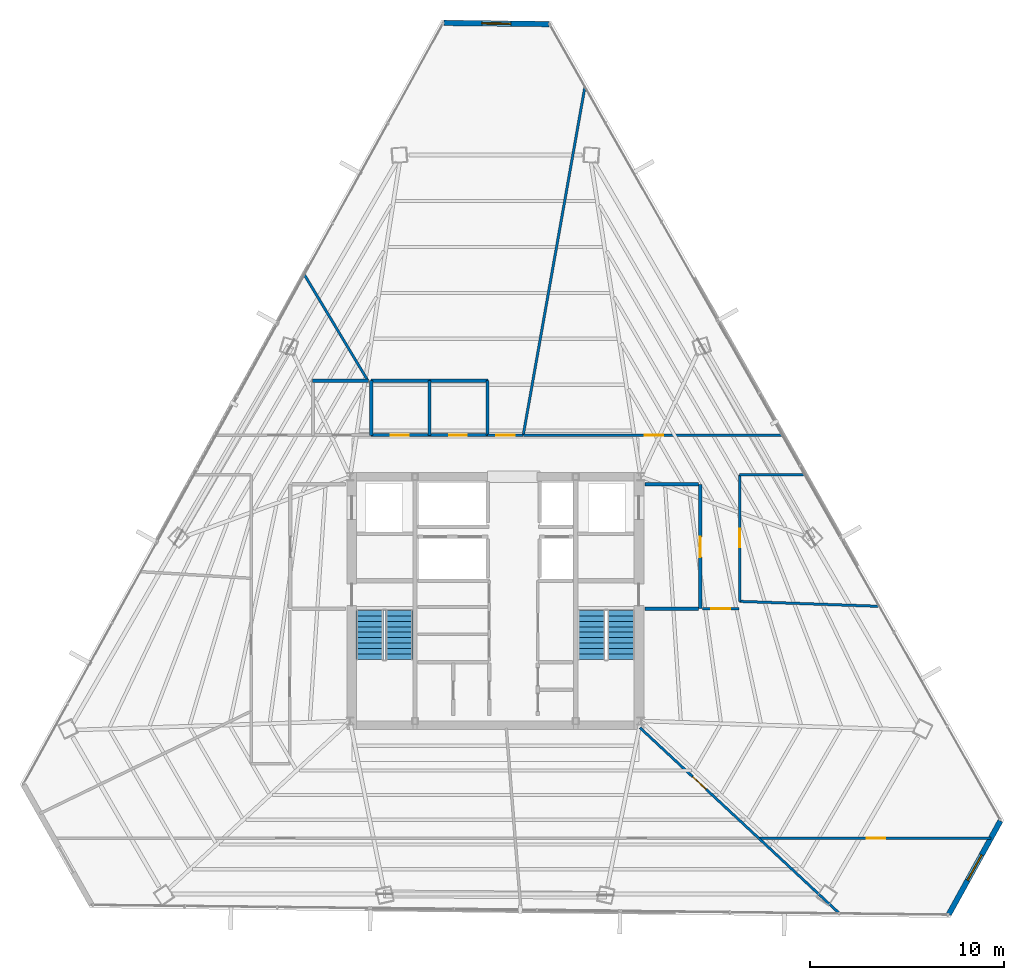
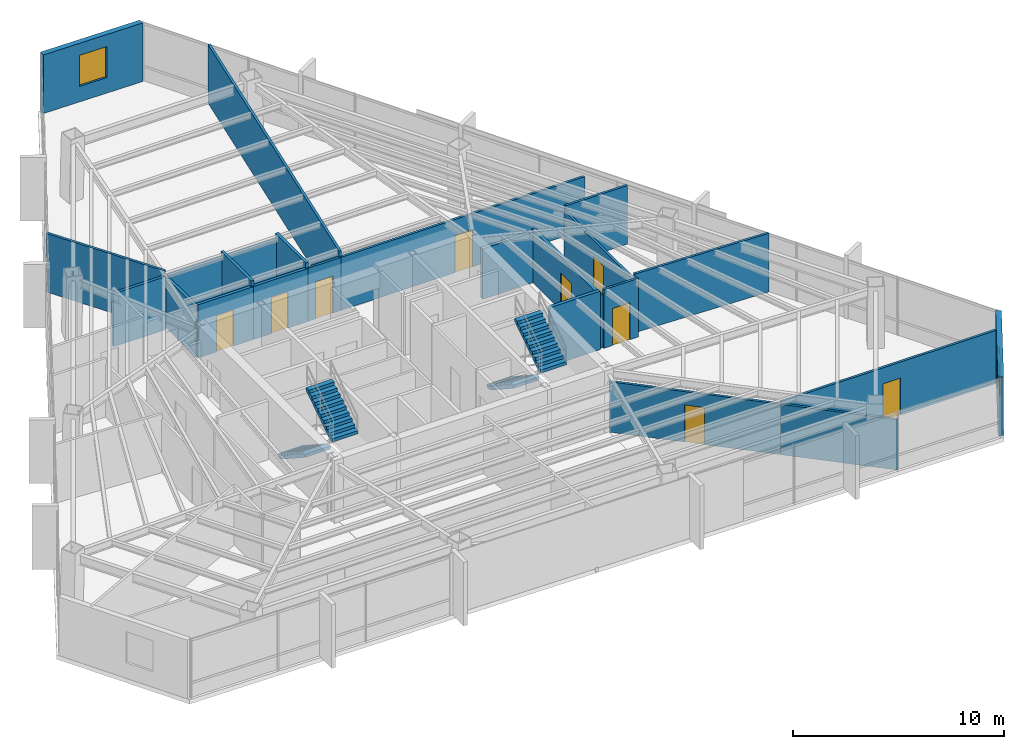
# One storey, part 37 of 41: 24 walls, 9 doors, 4 stair flights, 2 windows, 11 openings, 2 elements without a shape of their own.
"""IFC4 building model written with IfcOpenShell, lengths in metres."""

from ifc_helpers import new_model, si_unit, direction, frame, frame_2d, origin, place, context, subcontext, project, spatial, polyline, rectangle, outline, extrude, material, layer, layer_set, type_object, element, fill, aggregate, save


model = new_model("IFC4")

# Units and contexts
model_context = context("Model", 3, precision=1e-05, world=origin(), true_north=direction((0.0, 1.0)))
body_context = subcontext(model_context, "Body", "Model", "MODEL_VIEW")
ifc_project = project(units=[si_unit("LENGTHUNIT", "METRE"), si_unit("AREAUNIT", "SQUARE_METRE"), si_unit("VOLUMEUNIT", "CUBIC_METRE"), si_unit("PLANEANGLEUNIT", "RADIAN"), si_unit("MASSUNIT", "GRAM", prefix="KILO")], contexts=[model_context])

# Site, building, storey
site_placement = place(None, origin())
site = spatial("IfcSite", under=ifc_project, at=site_placement, CompositionType="ELEMENT")
building_placement = place(site_placement, origin())
building = spatial("IfcBuilding", under=site, at=building_placement, Name="Caelisora Broadcast Tower", CompositionType="ELEMENT")
storey_placement = place(building_placement, frame((0.0, 0.0, 209.60009765625)))
storey = spatial("IfcBuildingStorey", under=building, at=storey_placement, Name="L55", CompositionType="ELEMENT", Elevation=209.60009765625)

# Wall, opening, window
ifc_material_1 = material(Name="Insulated Terracotta Spandrel Wall System", Category="masonry")
ifc_layer_1 = layer(ifc_material_1, 0.280029296875, Name="Insulated Terracotta Spandrel Wall System")
ifc_layer_set_1 = layer_set([ifc_layer_1], Name="Insulated Terracotta Spandrel Wall System")
wall_type_1 = type_object("IfcWallType", Name="EW1", PredefinedType="STANDARD", material=ifc_layer_set_1)
wall_1_placement = place(storey_placement, frame((64.054443359375, 12.24658203125, 0.0), z_axis=(0.0, 0.0, 1.0), x_axis=(-0.48307617034, -0.875578330962, 0.0)))
wall_1 = element("IfcWall", 1, at=wall_1_placement, inside=storey, type_object=wall_type_1, Name="L55 exterior envelope wall EW1", PredefinedType="STANDARD", context=body_context, shape_type="SweptSolid", body=[
    extrude(rectangle(XDim=5.504150390625, YDim=0.280029296875, at=frame_2d((2.751953125, 0.0))), origin(), (0.0, 0.0, 1.0), 3.39990234375),
])
opening_1_placement = place(wall_1_placement, frame((2.0, 0.0, 0.89990234375)))
opening_1 = element("IfcOpeningElement", 2, at=opening_1_placement, cuts=wall_1, Name="Opening W02", PredefinedType="OPENING", context=body_context, shape_type="SweptSolid", body=[
    extrude(rectangle(XDim=1.5, YDim=1.800048828125, at=frame_2d((0.75, 0.89990234375))), frame((0.0, 0.152099609375, 0.0), z_axis=(0.0, -1.0, 0.0), x_axis=(1.0, 0.0, 0.0)), (0.0, 0.0, 1.0), 0.303955078125),
])
ifc_material_2 = material(Name="Double Glazed Terracotta-Framed Vision Window", Category="glass")
window_type = type_object("IfcWindowType", Name="W02", PartitioningType="SINGLE_PANEL", PredefinedType="WINDOW", material=ifc_material_2)
window_1_placement = place(opening_1_placement, origin())
window_1 = element("IfcWindow", 3, at=window_1_placement, inside=storey, type_object=window_type, Name="L55 window W02 (L55-WN-CH0)", OverallHeight=1.800048828125, OverallWidth=1.5, PartitioningType="SINGLE_PANEL", PredefinedType="WINDOW", context=body_context, shape_type="SweptSolid", body=[
    extrude(rectangle(XDim=1.5, YDim=1.800048828125, at=frame_2d((0.75, 0.89990234375))), frame((0.0, 0.030029296875, 0.0), z_axis=(0.0, -1.0, 0.0), x_axis=(1.0, 0.0, 0.0)), (0.0, 0.0, 1.0), 0.06005859375),
])
fill(opening_1, window_1)

wall_2_placement = place(storey_placement, frame((35.346923828125, 53.41064453125, 0.0), z_axis=(0.0, 0.0, 1.0), x_axis=(0.999936043764, -0.01130965875, 0.0)))
wall_2 = element("IfcWall", 4, at=wall_2_placement, inside=storey, type_object=wall_type_1, Name="L55 exterior envelope wall EW1", PredefinedType="STANDARD", context=body_context, shape_type="SweptSolid", body=[
    extrude(rectangle(XDim=5.418212890625, YDim=0.280029296875, at=frame_2d((2.708984375, 0.0))), origin(), (0.0, 0.0, 1.0), 3.39990234375),
])
opening_2_placement = place(wall_2_placement, frame((1.9599609375, 0.0, 0.89990234375)))
opening_2 = element("IfcOpeningElement", 5, at=opening_2_placement, cuts=wall_2, Name="Opening W02", PredefinedType="OPENING", context=body_context, shape_type="SweptSolid", body=[
    extrude(rectangle(XDim=1.5, YDim=1.800048828125, at=frame_2d((0.75, 0.89990234375))), frame((0.0, 0.152099609375, 0.0), z_axis=(0.0, -1.0, 0.0), x_axis=(1.0, 0.0, 0.0)), (0.0, 0.0, 1.0), 0.303955078125),
])
window_2_placement = place(opening_2_placement, origin())
window_2 = element("IfcWindow", 6, at=window_2_placement, inside=storey, type_object=window_type, Name="L55 window W02 (L55-WN-CH8)", OverallHeight=1.800048828125, OverallWidth=1.5, PartitioningType="SINGLE_PANEL", PredefinedType="WINDOW", context=body_context, shape_type="SweptSolid", body=[
    extrude(rectangle(XDim=1.5, YDim=1.800048828125, at=frame_2d((0.75, 0.89990234375))), frame((0.0, 0.030029296875, 0.0), z_axis=(0.0, -1.0, 0.0), x_axis=(1.0, 0.0, 0.0)), (0.0, 0.0, 1.0), 0.06005859375),
])
fill(opening_2, window_2)

# Wall, opening, door
ifc_material_3 = material(Name="Fire-Rated Gypsum Shaft and Compartment Wall", Category="gypsum")
ifc_layer_2 = layer(ifc_material_3, 0.179931640625, Name="Fire-Rated Gypsum Shaft and Compartment Wall")
ifc_layer_set_2 = layer_set([ifc_layer_2], Name="Fire-Rated Gypsum Shaft and Compartment Wall")
wall_type_2 = type_object("IfcWallType", Name="PW2", PredefinedType="PARTITIONING", material=ifc_layer_set_2)
wall_3_placement = place(storey_placement, frame((48.580078125, 23.199951171875, 0.0), z_axis=(0.0, 0.0, 1.0), x_axis=(0.0, 1.0, 0.0)))
wall_3 = element("IfcWall", 7, at=wall_3_placement, inside=storey, type_object=wall_type_2, Name="L55 fire compartment wall PW2", PredefinedType="PARTITIONING", context=body_context, shape_type="SweptSolid", body=[
    extrude(rectangle(XDim=6.400146484375, YDim=0.179931640625, at=frame_2d((3.2001953125, 0.0))), origin(), (0.0, 0.0, 1.0), 3.07763671875),
])
opening_3_placement = place(wall_3_placement, frame((2.64990234375, 0.0, 0.0)))
opening_3 = element("IfcOpeningElement", 8, at=opening_3_placement, cuts=wall_3, Name="Opening FD02", PredefinedType="OPENING", context=body_context, shape_type="SweptSolid", body=[
    extrude(rectangle(XDim=1.050048828125, YDim=2.14990234375, at=frame_2d((0.52490234375, 1.074951171875))), frame((0.0, 0.10205078125, 0.0), z_axis=(0.0, -1.0, 0.0), x_axis=(1.0, 0.0, 0.0)), (0.0, 0.0, 1.0), 0.203857421875),
])
ifc_material_4 = material(Name="Single-Leaf Steel Fire Lobby Door", Category="steel")
door_type_1 = type_object("IfcDoorType", Name="FD02", OperationType="NOTDEFINED", PredefinedType="DOOR", material=ifc_material_4)
door_1_placement = place(opening_3_placement, origin())
door_1 = element("IfcDoor", 9, at=door_1_placement, inside=storey, type_object=door_type_1, Name="L55 door FD02 (L55-DR-P04D1)", OperationType="SINGLE_SWING_RIGHT", OverallHeight=2.14990234375, OverallWidth=1.050048828125, PredefinedType="DOOR", context=body_context, shape_type="SweptSolid", body=[
    extrude(rectangle(XDim=1.050048828125, YDim=2.14990234375, at=frame_2d((0.52490234375, 1.074951171875))), frame((0.0, 0.02490234375, 0.0), z_axis=(0.0, -1.0, 0.0), x_axis=(1.0, 0.0, 0.0)), (0.0, 0.0, 1.0), 0.050048828125),
])
fill(opening_3, door_1)

# Walls
wall_4_placement = place(storey_placement, frame((45.719970703125, 23.199951171875, 0.0), z_axis=(0.0, 0.0, 1.0), x_axis=(1.0, 0.0, 0.0)))
element("IfcWall", 10, at=wall_4_placement, inside=storey, type_object=wall_type_2, Name="L55 fire compartment wall PW2", PredefinedType="PARTITIONING", context=body_context, shape_type="SweptSolid", body=[
    extrude(rectangle(XDim=2.760009765625, YDim=0.179931640625, at=frame_2d((1.3798828125, 0.0))), origin(), (0.0, 0.0, 1.0), 3.39990234375),
])
wall_5_placement = place(storey_placement, frame((45.719970703125, 29.60009765625, 0.0), z_axis=(0.0, 0.0, 1.0), x_axis=(1.0, 0.0, 0.0)))
element("IfcWall", 11, at=wall_5_placement, inside=storey, type_object=wall_type_2, Name="L55 fire compartment wall PW2", PredefinedType="PARTITIONING", context=body_context, shape_type="SweptSolid", body=[
    extrude(rectangle(XDim=2.760009765625, YDim=0.179931640625, at=frame_2d((1.3798828125, 0.0))), origin(), (0.0, 0.0, 1.0), 2.924560546875),
])
ifc_material_5 = material(Name="Acoustic Steel-Stud Plasterboard Partition", Category="gypsum")
ifc_layer_3 = layer(ifc_material_5, 0.1298828125, Name="Acoustic Steel-Stud Plasterboard Partition")
ifc_layer_set_3 = layer_set([ifc_layer_3], Name="Acoustic Steel-Stud Plasterboard Partition")
wall_type_3 = type_object("IfcWallType", Name="PW3", PredefinedType="PARTITIONING", material=ifc_layer_set_3)
wall_6_placement = place(storey_placement, frame((39.44091796875, 32.155029296875, 0.0), z_axis=(0.0, 0.0, 1.0), x_axis=(0.174344505981, 0.984684717681, 0.0)))
element("IfcWall", 12, at=wall_6_placement, inside=storey, type_object=wall_type_3, Name="L55 internal partition PW3", PredefinedType="PARTITIONING", context=body_context, shape_type="SweptSolid", body=[
    extrude(rectangle(XDim=18.256103515625, YDim=0.1298828125, at=frame_2d((9.1279296875, 0.0))), origin(), (0.0, 0.0, 1.0), 3.39990234375),
])

# Wall, opening, door
wall_7_placement = place(storey_placement, frame((39.445068359375, 32.14990234375, 0.0), z_axis=(0.0, 0.0, 1.0), x_axis=(1.0, 0.0, 0.0)))
wall_7 = element("IfcWall", 13, at=wall_7_placement, inside=storey, type_object=wall_type_3, Name="L55 internal partition PW3", PredefinedType="PARTITIONING", context=body_context, shape_type="SweptSolid", body=[
    extrude(rectangle(XDim=13.367431640625, YDim=0.1298828125, at=frame_2d((6.68359375, 0.0))), origin(), (0.0, 0.0, 1.0), 3.07763671875),
])
opening_4_placement = place(wall_7_placement, frame((6.258056640625, 0.0, 0.0)))
opening_4 = element("IfcOpeningElement", 14, at=opening_4_placement, cuts=wall_7, Name="Opening D01", PredefinedType="OPENING", context=body_context, shape_type="SweptSolid", body=[
    extrude(rectangle(XDim=0.9599609375, YDim=2.14990234375, at=frame_2d((0.47998046875, 1.074951171875))), frame((0.0, 0.076904296875, 0.0), z_axis=(0.0, -1.0, 0.0), x_axis=(1.0, 0.0, 0.0)), (0.0, 0.0, 1.0), 0.15380859375),
])
ifc_material_6 = material(Name="Solid-Core Timber Acoustic Office Door", Category="wood")
door_type_2 = type_object("IfcDoorType", Name="D01", OperationType="NOTDEFINED", PredefinedType="DOOR", material=ifc_material_6)
door_2_placement = place(opening_4_placement, origin())
door_2 = element("IfcDoor", 15, at=door_2_placement, inside=storey, type_object=door_type_2, Name="L55 door D01 (L55-DR-P31D1)", OperationType="SINGLE_SWING_LEFT", OverallHeight=2.14990234375, OverallWidth=0.9599609375, PredefinedType="DOOR", context=body_context, shape_type="SweptSolid", body=[
    extrude(rectangle(XDim=0.9599609375, YDim=2.14990234375, at=frame_2d((0.47998046875, 1.074951171875))), frame((0.0, 0.02490234375, 0.0), z_axis=(0.0, -1.0, 0.0), x_axis=(1.0, 0.0, 0.0)), (0.0, 0.0, 1.0), 0.050048828125),
])
fill(opening_4, door_2)

wall_8_placement = place(storey_placement, frame((51.594970703125, 11.35009765625, 0.0), z_axis=(0.0, 0.0, 1.0), x_axis=(1.0, 0.0, 0.0)))
wall_8 = element("IfcWall", 16, at=wall_8_placement, inside=storey, type_object=wall_type_3, Name="L55 internal partition PW3", PredefinedType="PARTITIONING", context=body_context, shape_type="SweptSolid", body=[
    extrude(rectangle(XDim=11.970703125, YDim=0.1298828125, at=frame_2d((5.9853515625, 0.0))), origin(), (0.0, 0.0, 1.0), 3.07763671875),
])
opening_5_placement = place(wall_8_placement, frame((5.55810546875, 0.0, 0.0)))
opening_5 = element("IfcOpeningElement", 17, at=opening_5_placement, cuts=wall_8, Name="Opening D01", PredefinedType="OPENING", context=body_context, shape_type="SweptSolid", body=[
    extrude(rectangle(XDim=0.9599609375, YDim=2.14990234375, at=frame_2d((0.47998046875, 1.074951171875))), frame((0.0, 0.076904296875, 0.0), z_axis=(0.0, -1.0, 0.0), x_axis=(1.0, 0.0, 0.0)), (0.0, 0.0, 1.0), 0.15380859375),
])
door_3_placement = place(opening_5_placement, origin())
door_3 = element("IfcDoor", 18, at=door_3_placement, inside=storey, type_object=door_type_2, Name="L55 door D01 (L55-DR-P34D1)", OperationType="SINGLE_SWING_LEFT", OverallHeight=2.14990234375, OverallWidth=0.9599609375, PredefinedType="DOOR", context=body_context, shape_type="SweptSolid", body=[
    extrude(rectangle(XDim=0.9599609375, YDim=2.14990234375, at=frame_2d((0.47998046875, 1.074951171875))), frame((0.0, 0.02490234375, 0.0), z_axis=(0.0, -1.0, 0.0), x_axis=(1.0, 0.0, 0.0)), (0.0, 0.0, 1.0), 0.050048828125),
])
fill(opening_5, door_3)

wall_9_placement = place(storey_placement, frame((45.465087890625, 17.049072265625, 0.0), z_axis=(0.0, 0.0, 1.0), x_axis=(0.732053638731, -0.681246996339, 0.0)))
wall_9 = element("IfcWall", 19, at=wall_9_placement, inside=storey, type_object=wall_type_3, Name="L55 internal partition PW3", PredefinedType="PARTITIONING", context=body_context, shape_type="SweptSolid", body=[
    extrude(rectangle(XDim=8.361083984375, YDim=0.1298828125, at=frame_2d((4.1806640625, 0.0))), origin(), (0.0, 0.0, 1.0), 2.924560546875),
])
opening_6_placement = place(wall_9_placement, frame((3.700927734375, 0.0, 0.0)))
opening_6 = element("IfcOpeningElement", 20, at=opening_6_placement, cuts=wall_9, Name="Opening D01", PredefinedType="OPENING", context=body_context, shape_type="SweptSolid", body=[
    extrude(rectangle(XDim=0.9599609375, YDim=2.14990234375, at=frame_2d((0.47998046875, 1.074951171875))), frame((0.0, 0.076904296875, 0.0), z_axis=(0.0, -1.0, 0.0), x_axis=(1.0, 0.0, 0.0)), (0.0, 0.0, 1.0), 0.15380859375),
])
door_4_placement = place(opening_6_placement, origin())
door_4 = element("IfcDoor", 21, at=door_4_placement, inside=storey, type_object=door_type_2, Name="L55 door D01 (L55-DR-P36D1)", OperationType="SINGLE_SWING_RIGHT", OverallHeight=2.14990234375, OverallWidth=0.9599609375, PredefinedType="DOOR", context=body_context, shape_type="SweptSolid", body=[
    extrude(rectangle(XDim=0.9599609375, YDim=2.14990234375, at=frame_2d((0.47998046875, 1.074951171875))), frame((0.0, 0.02490234375, 0.0), z_axis=(0.0, -1.0, 0.0), x_axis=(1.0, 0.0, 0.0)), (0.0, 0.0, 1.0), 0.050048828125),
])
fill(opening_6, door_4)

# Wall
wall_10_placement = place(storey_placement, frame((50.60498046875, 23.570068359375, 0.0), z_axis=(0.0, 0.0, 1.0), x_axis=(0.999370457371, -0.035478006355, 0.0)))
element("IfcWall", 22, at=wall_10_placement, inside=storey, type_object=wall_type_3, Name="L55 internal partition PW3", PredefinedType="PARTITIONING", context=body_context, shape_type="SweptSolid", body=[
    extrude(rectangle(XDim=7.21875, YDim=0.1298828125, at=frame_2d((3.609375, 0.0))), origin(), (0.0, 0.0, 1.0), 3.39990234375),
])

# Wall, opening, door
wall_11_placement = place(storey_placement, frame((50.60009765625, 23.574951171875, 0.0), z_axis=(0.0, 0.0, 1.0), x_axis=(0.0, 1.0, 0.0)))
wall_11 = element("IfcWall", 23, at=wall_11_placement, inside=storey, type_object=wall_type_3, Name="L55 internal partition PW3", PredefinedType="PARTITIONING", context=body_context, shape_type="SweptSolid", body=[
    extrude(rectangle(XDim=6.52001953125, YDim=0.1298828125, at=frame_2d((3.260009765625, 0.0))), origin(), (0.0, 0.0, 1.0), 3.07763671875),
])
opening_7_placement = place(wall_11_placement, frame((2.780029296875, 0.0, 0.0)))
opening_7 = element("IfcOpeningElement", 24, at=opening_7_placement, cuts=wall_11, Name="Opening D01", PredefinedType="OPENING", context=body_context, shape_type="SweptSolid", body=[
    extrude(rectangle(XDim=0.9599609375, YDim=2.14990234375, at=frame_2d((0.47998046875, 1.074951171875))), frame((0.0, 0.076904296875, 0.0), z_axis=(0.0, -1.0, 0.0), x_axis=(1.0, 0.0, 0.0)), (0.0, 0.0, 1.0), 0.15380859375),
])
door_5_placement = place(opening_7_placement, origin())
door_5 = element("IfcDoor", 25, at=door_5_placement, inside=storey, type_object=door_type_2, Name="L55 door D01 (L55-DR-P41D1)", OperationType="SINGLE_SWING_LEFT", OverallHeight=2.14990234375, OverallWidth=0.9599609375, PredefinedType="DOOR", context=body_context, shape_type="SweptSolid", body=[
    extrude(rectangle(XDim=0.9599609375, YDim=2.14990234375, at=frame_2d((0.47998046875, 1.074951171875))), frame((0.0, 0.02490234375, 0.0), z_axis=(0.0, -1.0, 0.0), x_axis=(1.0, 0.0, 0.0)), (0.0, 0.0, 1.0), 0.050048828125),
])
fill(opening_7, door_5)

# Walls
wall_12_placement = place(storey_placement, frame((28.1474609375, 40.424072265625, 0.0), z_axis=(0.0, 0.0, 1.0), x_axis=(0.514214257659, -0.857661761547, 0.0)))
element("IfcWall", 26, at=wall_12_placement, inside=storey, type_object=wall_type_3, Name="L55 internal partition PW3", PredefinedType="PARTITIONING", context=body_context, shape_type="SweptSolid", body=[
    extrude(rectangle(XDim=6.377685546875, YDim=0.1298828125, at=frame_2d((3.18896484375, 0.0))), origin(), (0.0, 0.0, 1.0), 3.39990234375),
])
wall_13_placement = place(storey_placement, frame((51.593994140625, 11.346923828125, 0.0), z_axis=(0.0, 0.0, 1.0), x_axis=(0.731391359987, -0.681957974171, 0.0)))
element("IfcWall", 27, at=wall_13_placement, inside=storey, type_object=wall_type_3, Name="L55 internal partition PW3", PredefinedType="PARTITIONING", context=body_context, shape_type="SweptSolid", body=[
    extrude(rectangle(XDim=5.699462890625, YDim=0.1298828125, at=frame_2d((2.849609375, 0.0))), origin(), (0.0, 0.0, 1.0), 2.924560546875),
])
wall_14_placement = place(storey_placement, frame((50.60498046875, 30.10009765625, 0.0), z_axis=(0.0, 0.0, 1.0), x_axis=(1.0, 0.0, 0.0)))
element("IfcWall", 28, at=wall_14_placement, inside=storey, type_object=wall_type_3, Name="L55 internal partition PW3", PredefinedType="PARTITIONING", context=body_context, shape_type="SweptSolid", body=[
    extrude(rectangle(XDim=3.368896484375, YDim=0.1298828125, at=frame_2d((1.6845703125, 0.0))), origin(), (0.0, 0.0, 1.0), 3.39990234375),
])

# Wall, opening, door
wall_15_placement = place(storey_placement, frame((48.675048828125, 23.179931640625, 0.0), z_axis=(0.0, 0.0, 1.0), x_axis=(1.0, 0.0, 0.0)))
wall_15 = element("IfcWall", 29, at=wall_15_placement, inside=storey, type_object=wall_type_3, Name="L55 internal partition PW3", PredefinedType="PARTITIONING", context=body_context, shape_type="SweptSolid", body=[
    extrude(rectangle(XDim=1.905029296875, YDim=0.1298828125, at=frame_2d((0.95263671875, 0.0))), origin(), (0.0, 0.0, 1.0), 3.39990234375),
])
opening_8_placement = place(wall_15_placement, frame((0.472900390625, 0.0, 0.0)))
opening_8 = element("IfcOpeningElement", 30, at=opening_8_placement, cuts=wall_15, Name="Opening D01", PredefinedType="OPENING", context=body_context, shape_type="SweptSolid", body=[
    extrude(rectangle(XDim=0.9599609375, YDim=2.14990234375, at=frame_2d((0.47998046875, 1.074951171875))), frame((0.0, 0.076904296875, 0.0), z_axis=(0.0, -1.0, 0.0), x_axis=(1.0, 0.0, 0.0)), (0.0, 0.0, 1.0), 0.15380859375),
])
door_6_placement = place(opening_8_placement, origin())
door_6 = element("IfcDoor", 31, at=door_6_placement, inside=storey, type_object=door_type_2, Name="L55 door D01 (L55-DR-P52D1)", OperationType="SINGLE_SWING_LEFT", OverallHeight=2.14990234375, OverallWidth=0.9599609375, PredefinedType="DOOR", context=body_context, shape_type="SweptSolid", body=[
    extrude(rectangle(XDim=0.9599609375, YDim=2.14990234375, at=frame_2d((0.47998046875, 1.074951171875))), frame((0.0, 0.02490234375, 0.0), z_axis=(0.0, -1.0, 0.0), x_axis=(1.0, 0.0, 0.0)), (0.0, 0.0, 1.0), 0.050048828125),
])
fill(opening_8, door_6)

wall_16_placement = place(storey_placement, frame((37.60498046875, 32.14990234375, 0.0), z_axis=(0.0, 0.0, 1.0), x_axis=(1.0, 0.0, 0.0)))
wall_16 = element("IfcWall", 32, at=wall_16_placement, inside=storey, type_object=wall_type_3, Name="L55 internal partition PW3", PredefinedType="PARTITIONING", context=body_context, shape_type="SweptSolid", body=[
    extrude(rectangle(XDim=1.830078125, YDim=0.1298828125, at=frame_2d((0.9150390625, 0.0))), origin(), (0.0, 0.0, 1.0), 3.07763671875),
])
opening_9_placement = place(wall_16_placement, frame((0.43505859375, 0.0, 0.0)))
opening_9 = element("IfcOpeningElement", 33, at=opening_9_placement, cuts=wall_16, Name="Opening D01", PredefinedType="OPENING", context=body_context, shape_type="SweptSolid", body=[
    extrude(rectangle(XDim=0.9599609375, YDim=2.14990234375, at=frame_2d((0.47998046875, 1.074951171875))), frame((0.0, 0.076904296875, 0.0), z_axis=(0.0, -1.0, 0.0), x_axis=(1.0, 0.0, 0.0)), (0.0, 0.0, 1.0), 0.15380859375),
])
door_7_placement = place(opening_9_placement, origin())
door_7 = element("IfcDoor", 34, at=door_7_placement, inside=storey, type_object=door_type_2, Name="L55 door D01 (L55-DR-P54D1)", OperationType="SINGLE_SWING_RIGHT", OverallHeight=2.14990234375, OverallWidth=0.9599609375, PredefinedType="DOOR", context=body_context, shape_type="SweptSolid", body=[
    extrude(rectangle(XDim=0.9599609375, YDim=2.14990234375, at=frame_2d((0.47998046875, 1.074951171875))), frame((0.0, 0.02490234375, 0.0), z_axis=(0.0, -1.0, 0.0), x_axis=(1.0, 0.0, 0.0)), (0.0, 0.0, 1.0), 0.050048828125),
])
fill(opening_9, door_7)

ifc_material_7 = material(Name="Moisture-Resistant Wet Plumbing Service Wall", Category="gypsum")
ifc_layer_4 = layer(ifc_material_7, 0.159912109375, Name="Moisture-Resistant Wet Plumbing Service Wall")
ifc_layer_set_4 = layer_set([ifc_layer_4], Name="Moisture-Resistant Wet Plumbing Service Wall")
wall_type_4 = type_object("IfcWallType", Name="PW4", PredefinedType="PLUMBINGWALL", material=ifc_layer_set_4)
wall_17_placement = place(storey_placement, frame((31.574951171875, 32.14990234375, 0.0), z_axis=(0.0, 0.0, 1.0), x_axis=(1.0, 0.0, 0.0)))
wall_17 = element("IfcWall", 35, at=wall_17_placement, inside=storey, type_object=wall_type_4, Name="L55 wet plumbing wall PW4", PredefinedType="PLUMBINGWALL", context=body_context, shape_type="SweptSolid", body=[
    extrude(rectangle(XDim=3.050048828125, YDim=0.159912109375, at=frame_2d((1.52490234375, 0.0))), origin(), (0.0, 0.0, 1.0), 3.07763671875),
])
opening_10_placement = place(wall_17_placement, frame((1.034912109375, 0.0, 0.0)))
opening_10 = element("IfcOpeningElement", 36, at=opening_10_placement, cuts=wall_17, Name="Opening D03", PredefinedType="OPENING", context=body_context, shape_type="SweptSolid", body=[
    extrude(rectangle(XDim=0.919921875, YDim=2.10009765625, at=frame_2d((0.4599609375, 1.050048828125))), frame((0.0, 0.092041015625, 0.0), z_axis=(0.0, -1.0, 0.0), x_axis=(1.0, 0.0, 0.0)), (0.0, 0.0, 1.0), 0.183837890625),
])
ifc_material_8 = material(Name="Laminate Moisture-Resistant Amenity WC Door", Category="wood")
door_type_3 = type_object("IfcDoorType", Name="D03", OperationType="NOTDEFINED", PredefinedType="DOOR", material=ifc_material_8)
door_8_placement = place(opening_10_placement, origin())
door_8 = element("IfcDoor", 37, at=door_8_placement, inside=storey, type_object=door_type_3, Name="L55 door D03 (L55-DR-P20D1)", OperationType="SINGLE_SWING_RIGHT", OverallHeight=2.10009765625, OverallWidth=0.919921875, PredefinedType="DOOR", context=body_context, shape_type="SweptSolid", body=[
    extrude(rectangle(XDim=0.919921875, YDim=2.10009765625, at=frame_2d((0.4599609375, 1.050048828125))), frame((0.0, 0.02490234375, 0.0), z_axis=(0.0, -1.0, 0.0), x_axis=(1.0, 0.0, 0.0)), (0.0, 0.0, 1.0), 0.050048828125),
])
fill(opening_10, door_8)

wall_18_placement = place(storey_placement, frame((34.574951171875, 32.14990234375, 0.0), z_axis=(0.0, 0.0, 1.0), x_axis=(1.0, 0.0, 0.0)))
wall_18 = element("IfcWall", 38, at=wall_18_placement, inside=storey, type_object=wall_type_4, Name="L55 wet plumbing wall PW4", PredefinedType="PLUMBINGWALL", context=body_context, shape_type="SweptSolid", body=[
    extrude(rectangle(XDim=3.050048828125, YDim=0.159912109375, at=frame_2d((1.52490234375, 0.0))), origin(), (0.0, 0.0, 1.0), 3.07763671875),
])
opening_11_placement = place(wall_18_placement, frame((1.034912109375, 0.0, 0.0)))
opening_11 = element("IfcOpeningElement", 39, at=opening_11_placement, cuts=wall_18, Name="Opening D03", PredefinedType="OPENING", context=body_context, shape_type="SweptSolid", body=[
    extrude(rectangle(XDim=0.919921875, YDim=2.10009765625, at=frame_2d((0.4599609375, 1.050048828125))), frame((0.0, 0.092041015625, 0.0), z_axis=(0.0, -1.0, 0.0), x_axis=(1.0, 0.0, 0.0)), (0.0, 0.0, 1.0), 0.183837890625),
])
door_9_placement = place(opening_11_placement, origin())
door_9 = element("IfcDoor", 40, at=door_9_placement, inside=storey, type_object=door_type_3, Name="L55 door D03 (L55-DR-P21D1)", OperationType="SINGLE_SWING_LEFT", OverallHeight=2.10009765625, OverallWidth=0.919921875, PredefinedType="DOOR", context=body_context, shape_type="SweptSolid", body=[
    extrude(rectangle(XDim=0.919921875, YDim=2.10009765625, at=frame_2d((0.4599609375, 1.050048828125))), frame((0.0, 0.02490234375, 0.0), z_axis=(0.0, -1.0, 0.0), x_axis=(1.0, 0.0, 0.0)), (0.0, 0.0, 1.0), 0.050048828125),
])
fill(opening_11, door_9)

# Walls
for number, where, z_axis, x_axis, name in (
    (41, (31.574951171875, 34.949951171875, 0.0), (0.0, 0.0, 1.0), (1.0, 0.0, 0.0), "L55 wet plumbing wall PW4"),
    (42, (37.625, 34.949951171875, 0.0), (0.0, 0.0, 1.0), (-1.0, 0.0, 0.0), "L55 wet plumbing wall PW4"),
):
    element("IfcWall", number, at=place(storey_placement, frame(where, z_axis=z_axis, x_axis=x_axis)), inside=storey, type_object=wall_type_4, Name=name, PredefinedType="PLUMBINGWALL", context=body_context, shape_type="SweptSolid", body=[
        extrude(rectangle(XDim=3.050048828125, YDim=0.159912109375, at=frame_2d((1.52490234375, 0.0))), origin(), (0.0, 0.0, 1.0), 3.07763671875),
    ])
wall_19_placement = place(storey_placement, frame((28.574951171875, 34.949951171875, 0.0), z_axis=(0.0, 0.0, 1.0), x_axis=(1.0, 0.0, 0.0)))
element("IfcWall", 43, at=wall_19_placement, inside=storey, type_object=wall_type_4, Name="L55 wet plumbing wall PW4", PredefinedType="PLUMBINGWALL", context=body_context, shape_type="SweptSolid", body=[
    extrude(rectangle(XDim=2.880126953125, YDim=0.159912109375, at=frame_2d((1.43994140625, 0.0))), origin(), (0.0, 0.0, 1.0), 3.07763671875),
])
wall_20_placement = place(storey_placement, frame((31.60009765625, 32.125, 0.0), z_axis=(0.0, 0.0, 1.0), x_axis=(0.0, 1.0, 0.0)))
element("IfcWall", 44, at=wall_20_placement, inside=storey, type_object=wall_type_4, Name="L55 wet plumbing wall PW4", PredefinedType="PLUMBINGWALL", context=body_context, shape_type="SweptSolid", body=[
    extrude(rectangle(XDim=2.85009765625, YDim=0.159912109375, at=frame_2d((1.425048828125, 0.0))), origin(), (0.0, 0.0, 1.0), 2.924560546875),
])
for number, where, z_axis, x_axis, name in (
    (45, (34.60009765625, 32.125, 0.0), (0.0, 0.0, 1.0), (0.0, 1.0, 0.0), "L55 wet plumbing wall PW4"),
    (46, (37.60009765625, 32.125, 0.0), (0.0, 0.0, 1.0), (0.0, 1.0, 0.0), "L55 wet plumbing wall PW4"),
):
    element("IfcWall", number, at=place(storey_placement, frame(where, z_axis=z_axis, x_axis=x_axis)), inside=storey, type_object=wall_type_4, Name=name, PredefinedType="PLUMBINGWALL", context=body_context, shape_type="SweptSolid", body=[
        extrude(rectangle(XDim=2.85009765625, YDim=0.159912109375, at=frame_2d((1.425048828125, 0.0))), origin(), (0.0, 0.0, 1.0), 3.39990234375),
    ])

# Stair, stair flights
ifc_material_9 = material(Name="Concrete 40 MPa (AS 3600 N40)", Category="concrete")
stair_type_1 = type_object("IfcStairType", Name="ST-1", PredefinedType="HALF_TURN_STAIR", material=ifc_material_9)
stair_1_placement = place(storey_placement, origin())
stair_1 = element("IfcStair", 47, at=stair_1_placement, inside=storey, type_object=stair_type_1, Name="L55 West Fire-Isolated Tower Stair", PredefinedType="HALF_TURN_STAIR")
stair_flight_type = type_object("IfcStairFlightType", Name="STF-3", PredefinedType="STRAIGHT", material=ifc_material_9)
stair_flight_1_placement = place(storey_placement, frame((31.52001953125, 23.10009765625, 0.0), z_axis=(0.0, 0.0, 1.0), x_axis=(0.0, -1.0, 0.0)))
stair_flight_1 = element("IfcStairFlight", 48, at=stair_flight_1_placement, type_object=stair_flight_type, Name="ST-1 flight 1", NumberOfRisers=10, NumberOfTreads=9, PredefinedType="STRAIGHT", RiserHeight=0.1825, TreadLength=0.28, context=body_context, shape_type="SweptSolid", body=[
    extrude(outline(polyline([(0.0, 0.0), (0.0, 0.1826171875), (0.280029296875, 0.1826171875), (0.280029296875, 0.364990234375), (0.56005859375, 0.364990234375), (0.56005859375, 0.547607421875), (0.840087890625, 0.547607421875), (0.840087890625, 0.72998046875), (1.1201171875, 0.72998046875), (1.1201171875, 0.91259765625), (1.39990234375, 0.91259765625), (1.39990234375, 1.094970703125), (1.679931640625, 1.094970703125), (1.679931640625, 1.277587890625), (1.9599609375, 1.277587890625), (1.9599609375, 1.4599609375), (2.239990234375, 1.4599609375), (2.239990234375, 1.642578125), (2.52001953125, 1.642578125), (2.52001953125, 1.824951171875), (2.52001953125, 1.463623046875), (0.2744140625, 0.0), (0.0, 0.0)])), frame((0.0, 0.699951171875, 0.0), z_axis=(0.0, -1.0, 0.0), x_axis=(1.0, 0.0, 0.0)), (0.0, 0.0, 1.0), 1.39990234375),
])
stair_flight_2_placement = place(storey_placement, frame((33.0400390625, 20.580078125, 1.824951171875), z_axis=(0.0, 0.0, 1.0), x_axis=(0.0, 1.0, 0.0)))
stair_flight_2 = element("IfcStairFlight", 49, at=stair_flight_2_placement, type_object=stair_flight_type, Name="ST-1 flight 2", NumberOfRisers=10, NumberOfTreads=9, PredefinedType="STRAIGHT", RiserHeight=0.1825, TreadLength=0.28, context=body_context, shape_type="SweptSolid", body=[
    extrude(outline(polyline([(0.0, 0.0), (0.0, 0.1826171875), (0.280029296875, 0.1826171875), (0.280029296875, 0.364990234375), (0.56005859375, 0.364990234375), (0.56005859375, 0.547607421875), (0.840087890625, 0.547607421875), (0.840087890625, 0.72998046875), (1.1201171875, 0.72998046875), (1.1201171875, 0.91259765625), (1.39990234375, 0.91259765625), (1.39990234375, 1.094970703125), (1.679931640625, 1.094970703125), (1.679931640625, 1.277587890625), (1.9599609375, 1.277587890625), (1.9599609375, 1.4599609375), (2.239990234375, 1.4599609375), (2.239990234375, 1.642578125), (2.52001953125, 1.642578125), (2.52001953125, 1.824951171875), (2.52001953125, 1.463623046875), (0.2744140625, 0.0), (0.0, 0.0)])), frame((0.0, 0.699951171875, 0.0), z_axis=(0.0, -1.0, 0.0), x_axis=(1.0, 0.0, 0.0)), (0.0, 0.0, 1.0), 1.39990234375),
])
aggregate(stair_1, [stair_flight_1, stair_flight_2])

stair_type_2 = type_object("IfcStairType", Name="ST-2", PredefinedType="HALF_TURN_STAIR", material=ifc_material_9)
stair_2_placement = place(storey_placement, origin())
stair_2 = element("IfcStair", 50, at=stair_2_placement, inside=storey, type_object=stair_type_2, Name="L55 East Fire-Isolated Tower Stair", PredefinedType="HALF_TURN_STAIR")
stair_flight_3_placement = place(storey_placement, frame((42.9599609375, 23.10009765625, 0.0), z_axis=(0.0, 0.0, 1.0), x_axis=(0.0, -1.0, 0.0)))
stair_flight_3 = element("IfcStairFlight", 51, at=stair_flight_3_placement, type_object=stair_flight_type, Name="ST-2 flight 1", NumberOfRisers=10, NumberOfTreads=9, PredefinedType="STRAIGHT", RiserHeight=0.1825, TreadLength=0.28, context=body_context, shape_type="SweptSolid", body=[
    extrude(outline(polyline([(0.0, 0.0), (0.0, 0.1826171875), (0.280029296875, 0.1826171875), (0.280029296875, 0.364990234375), (0.56005859375, 0.364990234375), (0.56005859375, 0.547607421875), (0.840087890625, 0.547607421875), (0.840087890625, 0.72998046875), (1.1201171875, 0.72998046875), (1.1201171875, 0.91259765625), (1.39990234375, 0.91259765625), (1.39990234375, 1.094970703125), (1.679931640625, 1.094970703125), (1.679931640625, 1.277587890625), (1.9599609375, 1.277587890625), (1.9599609375, 1.4599609375), (2.239990234375, 1.4599609375), (2.239990234375, 1.642578125), (2.52001953125, 1.642578125), (2.52001953125, 1.824951171875), (2.52001953125, 1.463623046875), (0.2744140625, 0.0), (0.0, 0.0)])), frame((0.0, 0.699951171875, 0.0), z_axis=(0.0, -1.0, 0.0), x_axis=(1.0, 0.0, 0.0)), (0.0, 0.0, 1.0), 1.39990234375),
])
stair_flight_4_placement = place(storey_placement, frame((44.47998046875, 20.580078125, 1.824951171875), z_axis=(0.0, 0.0, 1.0), x_axis=(0.0, 1.0, 0.0)))
stair_flight_4 = element("IfcStairFlight", 52, at=stair_flight_4_placement, type_object=stair_flight_type, Name="ST-2 flight 2", NumberOfRisers=10, NumberOfTreads=9, PredefinedType="STRAIGHT", RiserHeight=0.1825, TreadLength=0.28, context=body_context, shape_type="SweptSolid", body=[
    extrude(outline(polyline([(0.0, 0.0), (0.0, 0.1826171875), (0.280029296875, 0.1826171875), (0.280029296875, 0.364990234375), (0.56005859375, 0.364990234375), (0.56005859375, 0.547607421875), (0.840087890625, 0.547607421875), (0.840087890625, 0.72998046875), (1.1201171875, 0.72998046875), (1.1201171875, 0.91259765625), (1.39990234375, 0.91259765625), (1.39990234375, 1.094970703125), (1.679931640625, 1.094970703125), (1.679931640625, 1.277587890625), (1.9599609375, 1.277587890625), (1.9599609375, 1.4599609375), (2.239990234375, 1.4599609375), (2.239990234375, 1.642578125), (2.52001953125, 1.642578125), (2.52001953125, 1.824951171875), (2.52001953125, 1.463623046875), (0.2744140625, 0.0), (0.0, 0.0)])), frame((0.0, 0.699951171875, 0.0), z_axis=(0.0, -1.0, 0.0), x_axis=(1.0, 0.0, 0.0)), (0.0, 0.0, 1.0), 1.39990234375),
])
aggregate(stair_2, [stair_flight_3, stair_flight_4])

save(model, "model.ifc")
